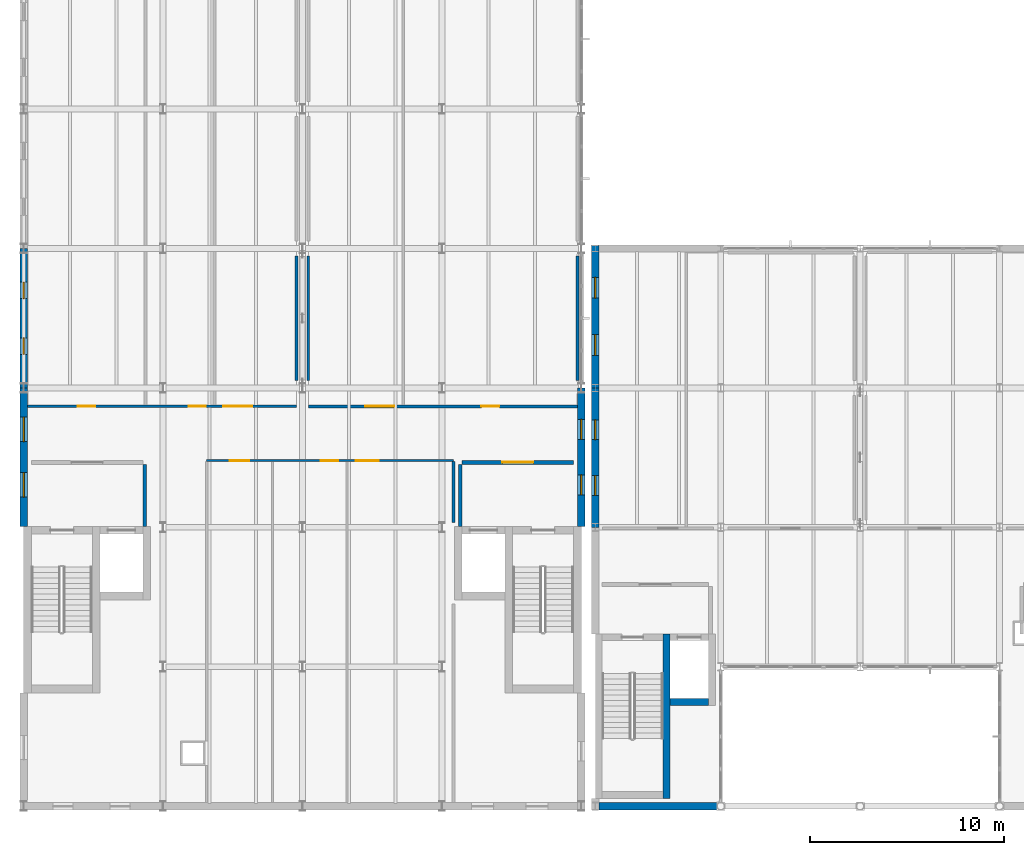
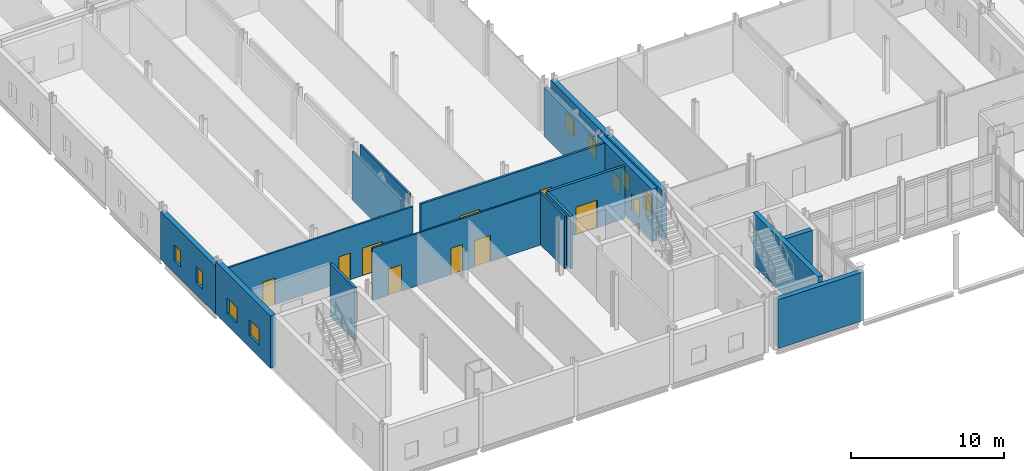
# One storey, part 52 of 76: 18 walls, 10 windows, 9 doors, 19 openings.
"""IFC4 building model written with IfcOpenShell, lengths in metres."""

import ifcopenshell
import ifcopenshell.guid

model = None  # the IFC model being written
_history = None  # IfcOwnerHistory: only IFC2X3 demands one
_inside = {}  # id of a spatial element -> (the spatial element, [elements in it])
_under = {}  # id of a project, library or spatial element -> (it, [spatial elements below it])
_declared = {}  # id of a project -> (the project, [libraries it declares])
_typed = {}  # id of a type object -> (the type object, [elements of that type])
_made_of = {}  # id of a material, layer set ... -> (it, [elements and type objects made of it])


def new_model(schema):
    """Start an empty IFC model of exactly this schema.

    Asked for "IFC4X3", IfcOpenShell would pick the latest addendum, in which some entities
    have other attributes; the version numbers below select the first issue.
    IFC2X3 requires an IfcOwnerHistory on every rooted entity: one is made here for all.
    """
    global model, _history
    if schema == "IFC4X3":
        model = ifcopenshell.file(schema_version=(4, 3, 0, 0))
    else:
        model = ifcopenshell.file(schema=schema)
    _inside.clear()
    _under.clear()
    _declared.clear()
    _typed.clear()
    _made_of.clear()
    _history = None
    if model.schema == "IFC2X3":
        org = make("IfcOrganization", Name="unknown")
        user = make(
            "IfcPersonAndOrganization",
            ThePerson=make("IfcPerson", FamilyName="unknown"),
            TheOrganization=org,
        )
        app = make(
            "IfcApplication",
            ApplicationDeveloper=org,
            Version="unknown",
            ApplicationFullName="unknown",
            ApplicationIdentifier="unknown",
        )
        _history = make(
            "IfcOwnerHistory",
            OwningUser=user,
            OwningApplication=app,
            ChangeAction="ADDED",
            CreationDate=0,
        )
    return model


def make(cls, **values):
    """One entity of the class cls with the attributes given. An attribute that is None is left unset."""
    return model.create_entity(
        cls, **{name: value for name, value in values.items() if value is not None}
    )


def rooted(cls, **values):
    """An entity with a GlobalId (a new one), such as an element, a storey or a relation."""
    return make(cls, GlobalId=ifcopenshell.guid.new(), OwnerHistory=_history, **values)


def si_unit(unit_type, name, prefix=None):
    """IfcSIUnit, for example si_unit("LENGTHUNIT", "METRE", prefix="MILLI")."""
    return make("IfcSIUnit", UnitType=unit_type, Prefix=prefix, Name=name)


def assignment(units):
    """IfcUnitAssignment: the units of a project."""
    return None if units is None else make("IfcUnitAssignment", Units=units)


def point(xyz):
    """IfcCartesianPoint."""
    return None if xyz is None else make("IfcCartesianPoint", Coordinates=xyz)


def direction(xyz):
    """IfcDirection."""
    return None if xyz is None else make("IfcDirection", DirectionRatios=xyz)


def frame(location, z_axis=None, x_axis=None):
    """IfcAxis2Placement3D, a coordinate frame: its origin and axes. An axis left out is left unset."""
    return make(
        "IfcAxis2Placement3D",
        Location=point(location),
        Axis=direction(z_axis),
        RefDirection=direction(x_axis),
    )


def frame_2d(location, x_axis=None):
    """IfcAxis2Placement2D, a coordinate frame in the plane: its origin and x axis."""
    return make(
        "IfcAxis2Placement2D", Location=point(location), RefDirection=direction(x_axis)
    )


def origin():
    """The frame at (0, 0, 0) with its axes left unset."""
    return frame((0.0, 0.0, 0.0))


def place(relative_to, where):
    """IfcLocalPlacement: puts the frame where relative to a parent placement (None: the world)."""
    return make(
        "IfcLocalPlacement", PlacementRelTo=relative_to, RelativePlacement=where
    )


def context(
    kind, dimensions, precision=None, world=None, true_north=None, identifier=None
):
    """IfcGeometricRepresentationContext, for example the 3D "Model" context."""
    return make(
        "IfcGeometricRepresentationContext",
        ContextIdentifier=identifier,
        ContextType=kind,
        CoordinateSpaceDimension=dimensions,
        Precision=precision,
        WorldCoordinateSystem=world,
        TrueNorth=true_north,
    )


def subcontext(parent, identifier, kind, view, scale=None):
    """IfcGeometricRepresentationSubContext, for example "Body" below "Model"."""
    return make(
        "IfcGeometricRepresentationSubContext",
        ContextIdentifier=identifier,
        ContextType=kind,
        ParentContext=parent,
        TargetScale=scale,
        TargetView=view,
    )


def project(units=None, contexts=None):
    """IfcProject with its units and contexts."""
    return rooted(
        "IfcProject",
        Name="project",
        RepresentationContexts=contexts,
        UnitsInContext=assignment(units),
    )


def spatial(cls, under=None, at=None, **own):
    """A site, building, storey or space (cls), placed at a placement, below another one or the project."""
    s = rooted(cls, ObjectPlacement=at, **own)
    if under is not None:
        _under.setdefault(under.id(), (under, []))[1].append(s)
    return s


def profile(cls, at=None, kind="AREA", **sizes):
    """A parametric profile (cls). Its sizes go by their IFC names, for example OverallWidth=200.0."""
    return make(cls, ProfileType=kind, Position=at, **sizes)


def rectangle(**sizes):
    """IfcRectangleProfileDef."""
    return profile("IfcRectangleProfileDef", **sizes)


def extrude(swept, where, along, depth):
    """IfcExtrudedAreaSolid: the profile swept, set in the frame where, extruded along a direction by depth."""
    return make(
        "IfcExtrudedAreaSolid",
        SweptArea=swept,
        Position=where,
        ExtrudedDirection=direction(along),
        Depth=depth,
    )


def shape(context_of_items, identifier, shape_type, items):
    """IfcShapeRepresentation: the items that make up one representation, for example the "Body"."""
    return make(
        "IfcShapeRepresentation",
        ContextOfItems=context_of_items,
        RepresentationIdentifier=identifier,
        RepresentationType=shape_type,
        Items=items,
    )


def material(Name=None, Category=None):
    """IfcMaterial."""
    return make("IfcMaterial", Name=Name, Category=Category)


def layer(
    of_material, thickness, ventilated=None, Name=None, Category=None, Priority=None
):
    """IfcMaterialLayer: one layer of a wall or slab, of a material (None: an air gap)."""
    return make(
        "IfcMaterialLayer",
        Material=of_material,
        LayerThickness=thickness,
        IsVentilated=ventilated,
        Name=Name,
        Category=Category,
        Priority=Priority,
    )


def layer_set(layers, Name=None):
    """IfcMaterialLayerSet."""
    return make("IfcMaterialLayerSet", MaterialLayers=layers, LayerSetName=Name)


def made_of(thing, what):
    """Note that an element or type object is made of a material, layer set ...; save() writes the relation."""
    if what is not None:
        _made_of.setdefault(what.id(), (what, []))[1].append(thing)
    return thing


def type_object(cls, material=None, **own):
    """A type object (cls), such as IfcWallType, which elements share."""
    return made_of(rooted(cls, **own), material)


def element(
    cls,
    number,
    at=None,
    inside=None,
    cuts=None,
    type_object=None,
    material=None,
    context=None,
    identifier="Body",
    shape_type=None,
    held_by="IfcProductDefinitionShape",
    body=None,
    shapes=None,
    **own,
):
    """One element of the class cls, such as IfcWall. Its Tag is "e" and its number.

    at: its placement. inside: the storey or other place that contains it. cuts: it is an
    opening in that element (IfcRelVoidsElement). A single representation is given by context,
    identifier, shape_type and body (its items); several are given by shapes. held_by: the class
    of the entity that holds the representations. save() writes the other relations.
    """
    e = rooted(cls, Tag="e%d" % number, ObjectPlacement=at, **own)
    if body is not None:
        shapes = [shape(context, identifier, shape_type, body)]
    if shapes is not None:
        e.Representation = make(held_by, Representations=shapes)
    if inside is not None:
        _inside.setdefault(inside.id(), (inside, []))[1].append(e)
    if cuts is not None:
        rooted(
            "IfcRelVoidsElement", RelatingBuildingElement=cuts, RelatedOpeningElement=e
        )
    if type_object is not None:
        _typed.setdefault(type_object.id(), (type_object, []))[1].append(e)
    return made_of(e, material)


def fill(opening, filler):
    """IfcRelFillsElement: the door or window that sits in an opening."""
    return rooted(
        "IfcRelFillsElement",
        RelatingOpeningElement=opening,
        RelatedBuildingElement=filler,
    )


def aggregate(whole, parts):
    """IfcRelAggregates: a whole, such as a stair, and the parts it consists of."""
    return rooted("IfcRelAggregates", RelatingObject=whole, RelatedObjects=parts)


def save(model, path):
    """Write the relations noted so far, then the file.

    IfcRelAggregates (storeys below a building ...), IfcRelContainedInSpatialStructure (elements
    in a storey), IfcRelDefinesByType, IfcRelAssociatesMaterial and IfcRelDeclares: one each for
    every whole, place, type object, material and project.
    """
    for whole, parts in _under.values():
        aggregate(whole, parts)
    for where, things in _inside.values():
        rooted(
            "IfcRelContainedInSpatialStructure",
            RelatedElements=things,
            RelatingStructure=where,
        )
    for kind, things in _typed.values():
        rooted("IfcRelDefinesByType", RelatedObjects=things, RelatingType=kind)
    for what, things in _made_of.values():
        rooted("IfcRelAssociatesMaterial", RelatedObjects=things, RelatingMaterial=what)
    for by, libraries in _declared.values():
        rooted("IfcRelDeclares", RelatingContext=by, RelatedDefinitions=libraries)
    model.write(path)


model = new_model("IFC4")

# Units and contexts
model_context = context("Model", 3, precision=1e-05, world=origin(), true_north=direction((0.0, 1.0)))
body_context = subcontext(model_context, "Body", "Model", "MODEL_VIEW")
ifc_project = project(units=[si_unit("LENGTHUNIT", "METRE"), si_unit("AREAUNIT", "SQUARE_METRE"), si_unit("VOLUMEUNIT", "CUBIC_METRE"), si_unit("PLANEANGLEUNIT", "RADIAN"), si_unit("MASSUNIT", "GRAM", prefix="KILO")], contexts=[model_context])

# Site, building, storey
site_placement = place(None, origin())
site = spatial("IfcSite", under=ifc_project, at=site_placement, CompositionType="ELEMENT")
building_placement = place(site_placement, origin())
building = spatial("IfcBuilding", under=site, at=building_placement, Name="Zarrinpeak Specialist Clinic", CompositionType="ELEMENT")
storey_placement = place(building_placement, frame((0.0, 0.0, 5.199951171875)))
storey = spatial("IfcBuildingStorey", under=building, at=storey_placement, Name="L01", CompositionType="ELEMENT", Elevation=5.199951171875)

# Walls
ifc_material_1 = material(Name="Concrete C40/50", Category="concrete")
ifc_layer_1 = layer(ifc_material_1, 0.35009765625)
ifc_layer_set_1 = layer_set([ifc_layer_1], Name="Concrete C40/50")
wall_type_1 = type_object("IfcWallType", Name="WL-CR350", PredefinedType="SHEAR", material=ifc_layer_set_1)
wall_1_placement = place(storey_placement, frame((33.195068359375, 0.39990234375, 0.0), z_axis=(0.0, 0.0, 1.0), x_axis=(0.0, 1.0, 0.0)))
element("IfcWall", 1, at=wall_1_placement, inside=storey, type_object=wall_type_1, Name="L01 Core C03 Shear Wall STE", PredefinedType="SHEAR", context=body_context, shape_type="SweptSolid", body=[
    extrude(rectangle(XDim=8.5, YDim=0.35009765625, at=frame_2d((4.25, 0.0))), origin(), (0.0, 0.0, 1.0), 4.18505859375),
])
wall_2_placement = place(storey_placement, frame((33.3701171875, 5.375, 0.0), z_axis=(0.0, 0.0, 1.0), x_axis=(1.0, 0.0, 0.0)))
element("IfcWall", 2, at=wall_2_placement, inside=storey, type_object=wall_type_1, Name="L01 Lift LF-P2 Shaft Wall LFS", PredefinedType="SHEAR", context=body_context, shape_type="SweptSolid", body=[
    extrude(rectangle(XDim=2.0, YDim=0.35009765625, at=frame_2d((1.0, 0.0))), origin(), (0.0, 0.0, 1.0), 4.18505859375),
])

# Wall, openings, windows
ifc_material_2 = material(Name="Precast concrete C40/50", Category="concrete")
ifc_layer_2 = layer(ifc_material_2, 0.3798828125)
ifc_layer_set_2 = layer_set([ifc_layer_2], Name="Precast concrete C40/50")
wall_type_2 = type_object("IfcWallType", Name="WL-EW380", PredefinedType="STANDARD", material=ifc_layer_set_2)
wall_3_placement = place(storey_placement, frame((0.0, 21.60009765625, 0.0), z_axis=(0.0, 0.0, 1.0), x_axis=(0.0, -1.0, 0.0)))
wall_3 = element("IfcWall", 3, at=wall_3_placement, inside=storey, type_object=wall_type_2, Name="L01 V1 Exterior GRC Wall EW-L01-V1-0022", PredefinedType="STANDARD", context=body_context, shape_type="SweptSolid", body=[
    extrude(rectangle(XDim=7.150146484375, YDim=0.3798828125, at=frame_2d((3.5751953125, 0.0))), origin(), (0.0, 0.0, 1.0), 4.18505859375),
])
opening_1_placement = place(wall_3_placement, frame((1.510986328125, 0.0, 0.949951171875)))
opening_1 = element("IfcOpeningElement", 4, at=opening_1_placement, cuts=wall_3, Name="Opening WS-13", PredefinedType="OPENING", context=body_context, shape_type="SweptSolid", body=[
    extrude(rectangle(XDim=1.26806640625, YDim=1.260009765625, at=frame_2d((0.634033203125, 0.6298828125))), frame((0.0, 0.199951171875, 0.0), z_axis=(0.0, -1.0, 0.0), x_axis=(1.0, 0.0, 0.0)), (0.0, 0.0, 1.0), 0.39990234375),
])
opening_2_placement = place(wall_3_placement, frame((4.37109375, 0.0, 0.949951171875)))
opening_2 = element("IfcOpeningElement", 5, at=opening_2_placement, cuts=wall_3, Name="Opening WS-13", PredefinedType="OPENING", context=body_context, shape_type="SweptSolid", body=[
    extrude(rectangle(XDim=1.26806640625, YDim=1.260009765625, at=frame_2d((0.634033203125, 0.6298828125))), frame((0.0, 0.199951171875, 0.0), z_axis=(0.0, -1.0, 0.0), x_axis=(1.0, 0.0, 0.0)), (0.0, 0.0, 1.0), 0.39990234375),
])
ifc_material_3 = material(Name="Thermally Broken Aluminium and Low-E Glazing", Category="aluminium")
window_type_1 = type_object("IfcWindowType", Name="WN-SP13", PartitioningType="SINGLE_PANEL", PredefinedType="WINDOW", material=ifc_material_3)
window_1_placement = place(opening_1_placement, origin())
window_1 = element("IfcWindow", 6, at=window_1_placement, inside=storey, type_object=window_type_1, Name="L01 Modular Facade Window WN-L01-0030", OverallHeight=1.260009765625, OverallWidth=1.26806640625, PartitioningType="SINGLE_PANEL", PredefinedType="WINDOW", context=body_context, shape_type="SweptSolid", body=[
    extrude(rectangle(XDim=1.26806640625, YDim=1.260009765625, at=frame_2d((0.634033203125, 0.6298828125))), frame((0.0, 0.030029296875, 0.0), z_axis=(0.0, -1.0, 0.0), x_axis=(1.0, 0.0, 0.0)), (0.0, 0.0, 1.0), 0.06005859375),
])
fill(opening_1, window_1)
window_2_placement = place(opening_2_placement, origin())
window_2 = element("IfcWindow", 7, at=window_2_placement, inside=storey, type_object=window_type_1, Name="L01 Modular Facade Window WN-L01-0031", OverallHeight=1.260009765625, OverallWidth=1.26806640625, PartitioningType="SINGLE_PANEL", PredefinedType="WINDOW", context=body_context, shape_type="SweptSolid", body=[
    extrude(rectangle(XDim=1.26806640625, YDim=1.260009765625, at=frame_2d((0.634033203125, 0.6298828125))), frame((0.0, 0.030029296875, 0.0), z_axis=(0.0, -1.0, 0.0), x_axis=(1.0, 0.0, 0.0)), (0.0, 0.0, 1.0), 0.06005859375),
])
fill(opening_2, window_2)

wall_4_placement = place(storey_placement, frame((0.0, 28.800048828125, 0.0), z_axis=(0.0, 0.0, 1.0), x_axis=(0.0, -1.0, 0.0)))
wall_4 = element("IfcWall", 8, at=wall_4_placement, inside=storey, type_object=wall_type_2, Name="L01 V1 Exterior GRC Wall EW-L01-V1-0023", PredefinedType="STANDARD", context=body_context, shape_type="SweptSolid", body=[
    extrude(rectangle(XDim=7.199951171875, YDim=0.3798828125, at=frame_2d((3.60009765625, 0.0))), origin(), (0.0, 0.0, 1.0), 3.81005859375),
])
opening_3_placement = place(wall_4_placement, frame((1.72998046875, 0.0, 0.949951171875)))
opening_3 = element("IfcOpeningElement", 9, at=opening_3_placement, cuts=wall_4, Name="Opening WS-14", PredefinedType="OPENING", context=body_context, shape_type="SweptSolid", body=[
    extrude(rectangle(XDim=0.860107421875, YDim=1.2958984375, at=frame_2d((0.43017578125, 0.64794921875))), frame((0.0, 0.199951171875, 0.0), z_axis=(0.0, -1.0, 0.0), x_axis=(1.0, 0.0, 0.0)), (0.0, 0.0, 1.0), 0.39990234375),
])
opening_4_placement = place(wall_4_placement, frame((4.610107421875, 0.0, 0.949951171875)))
opening_4 = element("IfcOpeningElement", 10, at=opening_4_placement, cuts=wall_4, Name="Opening WS-14", PredefinedType="OPENING", context=body_context, shape_type="SweptSolid", body=[
    extrude(rectangle(XDim=0.860107421875, YDim=1.2958984375, at=frame_2d((0.43017578125, 0.64794921875))), frame((0.0, 0.199951171875, 0.0), z_axis=(0.0, -1.0, 0.0), x_axis=(1.0, 0.0, 0.0)), (0.0, 0.0, 1.0), 0.39990234375),
])
window_type_2 = type_object("IfcWindowType", Name="WN-SP14", PartitioningType="SINGLE_PANEL", PredefinedType="WINDOW", material=ifc_material_3)
window_3_placement = place(opening_3_placement, origin())
window_3 = element("IfcWindow", 11, at=window_3_placement, inside=storey, type_object=window_type_2, Name="L01 Modular Facade Window WN-L01-0032", OverallHeight=1.2958984375, OverallWidth=0.860107421875, PartitioningType="SINGLE_PANEL", PredefinedType="WINDOW", context=body_context, shape_type="SweptSolid", body=[
    extrude(rectangle(XDim=0.860107421875, YDim=1.2958984375, at=frame_2d((0.43017578125, 0.64794921875))), frame((0.0, 0.030029296875, 0.0), z_axis=(0.0, -1.0, 0.0), x_axis=(1.0, 0.0, 0.0)), (0.0, 0.0, 1.0), 0.06005859375),
])
fill(opening_3, window_3)
window_4_placement = place(opening_4_placement, origin())
window_4 = element("IfcWindow", 12, at=window_4_placement, inside=storey, type_object=window_type_2, Name="L01 Modular Facade Window WN-L01-0033", OverallHeight=1.2958984375, OverallWidth=0.860107421875, PartitioningType="SINGLE_PANEL", PredefinedType="WINDOW", context=body_context, shape_type="SweptSolid", body=[
    extrude(rectangle(XDim=0.860107421875, YDim=1.2958984375, at=frame_2d((0.43017578125, 0.64794921875))), frame((0.0, 0.030029296875, 0.0), z_axis=(0.0, -1.0, 0.0), x_axis=(1.0, 0.0, 0.0)), (0.0, 0.0, 1.0), 0.06005859375),
])
fill(opening_4, window_4)

wall_5_placement = place(storey_placement, frame((28.800048828125, 14.449951171875, 0.0), z_axis=(0.0, 0.0, 1.0), x_axis=(0.0, 1.0, 0.0)))
wall_5 = element("IfcWall", 13, at=wall_5_placement, inside=storey, type_object=wall_type_2, Name="L01 V1 Exterior GRC Wall EW-L01-V1-0028", PredefinedType="STANDARD", context=body_context, shape_type="SweptSolid", body=[
    extrude(rectangle(XDim=7.150146484375, YDim=0.3798828125, at=frame_2d((3.5751953125, 0.0))), origin(), (0.0, 0.0, 1.0), 4.18505859375),
])
opening_5_placement = place(wall_5_placement, frame((1.6298828125, 0.0, 0.949951171875)))
opening_5 = element("IfcOpeningElement", 14, at=opening_5_placement, cuts=wall_5, Name="Opening WS-19", PredefinedType="OPENING", context=body_context, shape_type="SweptSolid", body=[
    extrude(rectangle(XDim=1.030029296875, YDim=1.2958984375, at=frame_2d((0.51513671875, 0.64794921875))), frame((0.0, 0.199951171875, 0.0), z_axis=(0.0, -1.0, 0.0), x_axis=(1.0, 0.0, 0.0)), (0.0, 0.0, 1.0), 0.39990234375),
])
opening_6_placement = place(wall_5_placement, frame((4.489990234375, 0.0, 0.949951171875)))
opening_6 = element("IfcOpeningElement", 15, at=opening_6_placement, cuts=wall_5, Name="Opening WS-19", PredefinedType="OPENING", context=body_context, shape_type="SweptSolid", body=[
    extrude(rectangle(XDim=1.030029296875, YDim=1.2958984375, at=frame_2d((0.51513671875, 0.64794921875))), frame((0.0, 0.199951171875, 0.0), z_axis=(0.0, -1.0, 0.0), x_axis=(1.0, 0.0, 0.0)), (0.0, 0.0, 1.0), 0.39990234375),
])
window_type_3 = type_object("IfcWindowType", Name="WN-SP19", PartitioningType="SINGLE_PANEL", PredefinedType="WINDOW", material=ifc_material_3)
window_5_placement = place(opening_5_placement, origin())
window_5 = element("IfcWindow", 16, at=window_5_placement, inside=storey, type_object=window_type_3, Name="L01 Modular Facade Window WN-L01-0041", OverallHeight=1.2958984375, OverallWidth=1.030029296875, PartitioningType="SINGLE_PANEL", PredefinedType="WINDOW", context=body_context, shape_type="SweptSolid", body=[
    extrude(rectangle(XDim=1.030029296875, YDim=1.2958984375, at=frame_2d((0.51513671875, 0.64794921875))), frame((0.0, 0.030029296875, 0.0), z_axis=(0.0, -1.0, 0.0), x_axis=(1.0, 0.0, 0.0)), (0.0, 0.0, 1.0), 0.06005859375),
])
fill(opening_5, window_5)
window_6_placement = place(opening_6_placement, origin())
window_6 = element("IfcWindow", 17, at=window_6_placement, inside=storey, type_object=window_type_3, Name="L01 Modular Facade Window WN-L01-0042", OverallHeight=1.2958984375, OverallWidth=1.030029296875, PartitioningType="SINGLE_PANEL", PredefinedType="WINDOW", context=body_context, shape_type="SweptSolid", body=[
    extrude(rectangle(XDim=1.030029296875, YDim=1.2958984375, at=frame_2d((0.51513671875, 0.64794921875))), frame((0.0, 0.030029296875, 0.0), z_axis=(0.0, -1.0, 0.0), x_axis=(1.0, 0.0, 0.0)), (0.0, 0.0, 1.0), 0.06005859375),
])
fill(opening_6, window_6)

# Wall
wall_6_placement = place(storey_placement, frame((29.7099609375, 0.0, 0.0), z_axis=(0.0, 0.0, 1.0), x_axis=(1.0, 0.0, 0.0)))
element("IfcWall", 18, at=wall_6_placement, inside=storey, type_object=wall_type_2, Name="L01 V2 Exterior GRC Wall EW-L01-V2-0109", PredefinedType="STANDARD", context=body_context, shape_type="SweptSolid", body=[
    extrude(rectangle(XDim=6.400146484375, YDim=0.3798828125, at=frame_2d((3.2001953125, 0.0))), origin(), (0.0, 0.0, 1.0), 3.880126953125),
])

# Wall, openings, windows
wall_7_placement = place(storey_placement, frame((29.52001953125, 21.60009765625, 0.0), z_axis=(0.0, 0.0, 1.0), x_axis=(0.0, -1.0, 0.0)))
wall_7 = element("IfcWall", 19, at=wall_7_placement, inside=storey, type_object=wall_type_2, Name="L01 V2 Exterior GRC Wall EW-L01-V2-0115", PredefinedType="STANDARD", context=body_context, shape_type="SweptSolid", body=[
    extrude(rectangle(XDim=7.2001953125, YDim=0.3798828125, at=frame_2d((3.60009765625, 0.0))), origin(), (0.0, 0.0, 1.0), 3.880126953125),
])
opening_7_placement = place(wall_7_placement, frame((1.64501953125, 0.0, 0.949951171875)))
opening_7 = element("IfcOpeningElement", 20, at=opening_7_placement, cuts=wall_7, Name="Opening WS-32", PredefinedType="OPENING", context=body_context, shape_type="SweptSolid", body=[
    extrude(rectangle(XDim=1.030029296875, YDim=1.33203125, at=frame_2d((0.51513671875, 0.666015625))), frame((0.0, 0.199951171875, 0.0), z_axis=(0.0, -1.0, 0.0), x_axis=(1.0, 0.0, 0.0)), (0.0, 0.0, 1.0), 0.39990234375),
])
opening_8_placement = place(wall_7_placement, frame((4.52490234375, 0.0, 0.949951171875)))
opening_8 = element("IfcOpeningElement", 21, at=opening_8_placement, cuts=wall_7, Name="Opening WS-32", PredefinedType="OPENING", context=body_context, shape_type="SweptSolid", body=[
    extrude(rectangle(XDim=1.030029296875, YDim=1.33203125, at=frame_2d((0.51513671875, 0.666015625))), frame((0.0, 0.199951171875, 0.0), z_axis=(0.0, -1.0, 0.0), x_axis=(1.0, 0.0, 0.0)), (0.0, 0.0, 1.0), 0.39990234375),
])
window_type_4 = type_object("IfcWindowType", Name="WN-SP32", PartitioningType="SINGLE_PANEL", PredefinedType="WINDOW", material=ifc_material_3)
window_7_placement = place(opening_7_placement, origin())
window_7 = element("IfcWindow", 22, at=window_7_placement, inside=storey, type_object=window_type_4, Name="L01 Modular Facade Window WN-L01-0150", OverallHeight=1.33203125, OverallWidth=1.030029296875, PartitioningType="SINGLE_PANEL", PredefinedType="WINDOW", context=body_context, shape_type="SweptSolid", body=[
    extrude(rectangle(XDim=1.030029296875, YDim=1.33203125, at=frame_2d((0.51513671875, 0.666015625))), frame((0.0, 0.030029296875, 0.0), z_axis=(0.0, -1.0, 0.0), x_axis=(1.0, 0.0, 0.0)), (0.0, 0.0, 1.0), 0.06005859375),
])
fill(opening_7, window_7)
window_8_placement = place(opening_8_placement, origin())
window_8 = element("IfcWindow", 23, at=window_8_placement, inside=storey, type_object=window_type_4, Name="L01 Modular Facade Window WN-L01-0151", OverallHeight=1.33203125, OverallWidth=1.030029296875, PartitioningType="SINGLE_PANEL", PredefinedType="WINDOW", context=body_context, shape_type="SweptSolid", body=[
    extrude(rectangle(XDim=1.030029296875, YDim=1.33203125, at=frame_2d((0.51513671875, 0.666015625))), frame((0.0, 0.030029296875, 0.0), z_axis=(0.0, -1.0, 0.0), x_axis=(1.0, 0.0, 0.0)), (0.0, 0.0, 1.0), 0.06005859375),
])
fill(opening_8, window_8)

wall_8_placement = place(storey_placement, frame((29.52001953125, 28.989990234375, 0.0), z_axis=(0.0, 0.0, 1.0), x_axis=(0.0, -1.0, 0.0)))
wall_8 = element("IfcWall", 24, at=wall_8_placement, inside=storey, type_object=wall_type_2, Name="L01 V2 Exterior GRC Wall EW-L01-V2-0116", PredefinedType="STANDARD", context=body_context, shape_type="SweptSolid", body=[
    extrude(rectangle(XDim=7.389892578125, YDim=0.3798828125, at=frame_2d((3.69482421875, 0.0))), origin(), (0.0, 0.0, 1.0), 3.880126953125),
])
opening_9_placement = place(wall_8_placement, frame((1.68505859375, 0.0, 0.949951171875)))
opening_9 = element("IfcOpeningElement", 25, at=opening_9_placement, cuts=wall_8, Name="Opening WS-33", PredefinedType="OPENING", context=body_context, shape_type="SweptSolid", body=[
    extrude(rectangle(XDim=1.06396484375, YDim=1.33203125, at=frame_2d((0.531982421875, 0.666015625))), frame((0.0, 0.199951171875, 0.0), z_axis=(0.0, -1.0, 0.0), x_axis=(1.0, 0.0, 0.0)), (0.0, 0.0, 1.0), 0.39990234375),
])
opening_10_placement = place(wall_8_placement, frame((4.64111328125, 0.0, 0.949951171875)))
opening_10 = element("IfcOpeningElement", 26, at=opening_10_placement, cuts=wall_8, Name="Opening WS-33", PredefinedType="OPENING", context=body_context, shape_type="SweptSolid", body=[
    extrude(rectangle(XDim=1.06396484375, YDim=1.33203125, at=frame_2d((0.531982421875, 0.666015625))), frame((0.0, 0.199951171875, 0.0), z_axis=(0.0, -1.0, 0.0), x_axis=(1.0, 0.0, 0.0)), (0.0, 0.0, 1.0), 0.39990234375),
])
window_type_5 = type_object("IfcWindowType", Name="WN-SP33", PartitioningType="SINGLE_PANEL", PredefinedType="WINDOW", material=ifc_material_3)
window_9_placement = place(opening_9_placement, origin())
window_9 = element("IfcWindow", 27, at=window_9_placement, inside=storey, type_object=window_type_5, Name="L01 Modular Facade Window WN-L01-0152", OverallHeight=1.33203125, OverallWidth=1.06396484375, PartitioningType="SINGLE_PANEL", PredefinedType="WINDOW", context=body_context, shape_type="SweptSolid", body=[
    extrude(rectangle(XDim=1.06396484375, YDim=1.33203125, at=frame_2d((0.531982421875, 0.666015625))), frame((0.0, 0.030029296875, 0.0), z_axis=(0.0, -1.0, 0.0), x_axis=(1.0, 0.0, 0.0)), (0.0, 0.0, 1.0), 0.06005859375),
])
fill(opening_9, window_9)
window_10_placement = place(opening_10_placement, origin())
window_10 = element("IfcWindow", 28, at=window_10_placement, inside=storey, type_object=window_type_5, Name="L01 Modular Facade Window WN-L01-0153", OverallHeight=1.33203125, OverallWidth=1.06396484375, PartitioningType="SINGLE_PANEL", PredefinedType="WINDOW", context=body_context, shape_type="SweptSolid", body=[
    extrude(rectangle(XDim=1.06396484375, YDim=1.33203125, at=frame_2d((0.531982421875, 0.666015625))), frame((0.0, 0.030029296875, 0.0), z_axis=(0.0, -1.0, 0.0), x_axis=(1.0, 0.0, 0.0)), (0.0, 0.0, 1.0), 0.06005859375),
])
fill(opening_10, window_10)

# Wall, openings, doors
ifc_material_4 = material(Name="Moisture-Resistant Wet-Room Partition", Category="gypsum")
ifc_layer_3 = layer(ifc_material_4, 0.125)
ifc_layer_set_3 = layer_set([ifc_layer_3], Name="Moisture-Resistant Wet-Room Partition")
wall_type_3 = type_object("IfcWallType", Name="WL-IW125W", PredefinedType="PARTITIONING", material=ifc_layer_set_3)
wall_9_placement = place(storey_placement, frame((9.449951171875, 17.85009765625, 0.0), z_axis=(0.0, 0.0, 1.0), x_axis=(1.0, 0.0, 0.0)))
wall_9 = element("IfcWall", 29, at=wall_9_placement, inside=storey, type_object=wall_type_3, Name="L01 Accessible Patient WC Partition", PredefinedType="PARTITIONING", context=body_context, shape_type="SweptSolid", body=[
    extrude(rectangle(XDim=12.75, YDim=0.125, at=frame_2d((6.375, 0.0))), origin(), (0.0, 0.0, 1.0), 4.18505859375),
])
opening_11_placement = place(wall_9_placement, frame((1.199951171875, 0.0, 0.0)))
opening_11 = element("IfcOpeningElement", 30, at=opening_11_placement, cuts=wall_9, Name="Opening D-W02", PredefinedType="OPENING", context=body_context, shape_type="SweptSolid", body=[
    extrude(rectangle(XDim=1.0, YDim=2.10009765625, at=frame_2d((0.5, 1.050048828125))), frame((0.0, 0.072509765625, 0.0), z_axis=(0.0, -1.0, 0.0), x_axis=(1.0, 0.0, 0.0)), (0.0, 0.0, 1.0), 0.14501953125),
])
opening_12_placement = place(wall_9_placement, frame((5.89990234375, 0.0, 0.0)))
opening_12 = element("IfcOpeningElement", 31, at=opening_12_placement, cuts=wall_9, Name="Opening D-W01", PredefinedType="OPENING", context=body_context, shape_type="SweptSolid", body=[
    extrude(rectangle(XDim=0.89990234375, YDim=2.10009765625, at=frame_2d((0.449951171875, 1.050048828125))), frame((0.0, 0.072509765625, 0.0), z_axis=(0.0, -1.0, 0.0), x_axis=(1.0, 0.0, 0.0)), (0.0, 0.0, 1.0), 0.14501953125),
])
opening_13_placement = place(wall_9_placement, frame((7.699951171875, 0.0, 0.0)))
opening_13 = element("IfcOpeningElement", 32, at=opening_13_placement, cuts=wall_9, Name="Opening DS-39", PredefinedType="OPENING", context=body_context, shape_type="SweptSolid", body=[
    extrude(rectangle(XDim=1.19189453125, YDim=2.095947265625, at=frame_2d((0.595947265625, 1.0478515625))), frame((0.0, 0.072509765625, 0.0), z_axis=(0.0, -1.0, 0.0), x_axis=(1.0, 0.0, 0.0)), (0.0, 0.0, 1.0), 0.14501953125),
])
ifc_material_5 = material(Name="Powder-Coated Galvanised Steel", Category="steel")
door_type_1 = type_object("IfcDoorType", Name="DR-AWC100", OperationType="SLIDING_TO_LEFT", PredefinedType="DOOR", material=ifc_material_5)
door_1_placement = place(opening_11_placement, origin())
door_1 = element("IfcDoor", 33, at=door_1_placement, inside=storey, type_object=door_type_1, Name="L01 Accessible Patient WC Door", OperationType="SLIDING_TO_LEFT", OverallHeight=2.10009765625, OverallWidth=1.0, PredefinedType="DOOR", context=body_context, shape_type="SweptSolid", body=[
    extrude(rectangle(XDim=1.0, YDim=2.10009765625, at=frame_2d((0.5, 1.050048828125))), frame((0.0, 0.02490234375, 0.0), z_axis=(0.0, -1.0, 0.0), x_axis=(1.0, 0.0, 0.0)), (0.0, 0.0, 1.0), 0.050048828125),
])
fill(opening_11, door_1)
door_type_2 = type_object("IfcDoorType", Name="DR-SP39", OperationType="SINGLE_SWING_RIGHT", PredefinedType="DOOR", material=ifc_material_5)
door_2_placement = place(opening_13_placement, origin())
door_2 = element("IfcDoor", 34, at=door_2_placement, inside=storey, type_object=door_type_2, Name="L01 Nurse Triage Station Door", OperationType="SINGLE_SWING_RIGHT", OverallHeight=2.095947265625, OverallWidth=1.19189453125, PredefinedType="DOOR", context=body_context, shape_type="SweptSolid", body=[
    extrude(rectangle(XDim=1.19189453125, YDim=2.095947265625, at=frame_2d((0.595947265625, 1.0478515625))), frame((0.0, 0.02490234375, 0.0), z_axis=(0.0, -1.0, 0.0), x_axis=(1.0, 0.0, 0.0)), (0.0, 0.0, 1.0), 0.050048828125),
])
fill(opening_13, door_2)
door_type_3 = type_object("IfcDoorType", Name="DR-WC90", OperationType="SINGLE_SWING_RIGHT", PredefinedType="DOOR", material=ifc_material_5)
door_3_placement = place(opening_12_placement, origin())
door_3 = element("IfcDoor", 35, at=door_3_placement, inside=storey, type_object=door_type_3, Name="L01 Assisted Washroom Door", OperationType="SINGLE_SWING_RIGHT", OverallHeight=2.10009765625, OverallWidth=0.89990234375, PredefinedType="DOOR", context=body_context, shape_type="SweptSolid", body=[
    extrude(rectangle(XDim=0.89990234375, YDim=2.10009765625, at=frame_2d((0.449951171875, 1.050048828125))), frame((0.0, 0.02490234375, 0.0), z_axis=(0.0, -1.0, 0.0), x_axis=(1.0, 0.0, 0.0)), (0.0, 0.0, 1.0), 0.050048828125),
])
fill(opening_12, door_3)

ifc_material_6 = material(Name="Standard Drywall Partition", Category="gypsum")
ifc_layer_4 = layer(ifc_material_6, 0.135009765625)
ifc_layer_set_4 = layer_set([ifc_layer_4], Name="Standard Drywall Partition")
wall_type_4 = type_object("IfcWallType", Name="WL-IW135", PredefinedType="PARTITIONING", material=ifc_layer_set_4)
wall_10_placement = place(storey_placement, frame((0.199951171875, 20.64990234375, 0.0), z_axis=(0.0, 0.0, 1.0), x_axis=(1.0, 0.0, 0.0)))
wall_10 = element("IfcWall", 36, at=wall_10_placement, inside=storey, type_object=wall_type_4, Name="L01 Cardiology Echocardiography Room Partition", PredefinedType="PARTITIONING", context=body_context, shape_type="SweptSolid", body=[
    extrude(rectangle(XDim=13.900146484375, YDim=0.135009765625, at=frame_2d((6.9501953125, 0.0))), origin(), (0.0, 0.0, 1.0), 4.18505859375),
])
opening_14_placement = place(wall_10_placement, frame((8.320068359375, 0.0, 0.0)))
opening_14 = element("IfcOpeningElement", 37, at=opening_14_placement, cuts=wall_10, Name="Opening DS-40", PredefinedType="OPENING", context=body_context, shape_type="SweptSolid", body=[
    extrude(rectangle(XDim=0.8798828125, YDim=2.1240234375, at=frame_2d((0.43994140625, 1.06201171875))), frame((0.0, 0.07763671875, 0.0), z_axis=(0.0, -1.0, 0.0), x_axis=(1.0, 0.0, 0.0)), (0.0, 0.0, 1.0), 0.155029296875),
])
opening_15_placement = place(wall_10_placement, frame((10.10009765625, 0.0, 0.0)))
opening_15 = element("IfcOpeningElement", 38, at=opening_15_placement, cuts=wall_10, Name="Opening D-B01", PredefinedType="OPENING", context=body_context, shape_type="SweptSolid", body=[
    extrude(rectangle(XDim=1.5, YDim=2.199951171875, at=frame_2d((0.75, 1.10009765625))), frame((0.0, 0.07763671875, 0.0), z_axis=(0.0, -1.0, 0.0), x_axis=(1.0, 0.0, 0.0)), (0.0, 0.0, 1.0), 0.155029296875),
])
opening_16_placement = place(wall_10_placement, frame((2.596923828125, 0.0, 0.0)))
opening_16 = element("IfcOpeningElement", 39, at=opening_16_placement, cuts=wall_10, Name="Opening DS-41", PredefinedType="OPENING", context=body_context, shape_type="SweptSolid", body=[
    extrude(rectangle(XDim=0.906005859375, YDim=2.1240234375, at=frame_2d((0.453125, 1.06201171875))), frame((0.0, 0.07763671875, 0.0), z_axis=(0.0, -1.0, 0.0), x_axis=(1.0, 0.0, 0.0)), (0.0, 0.0, 1.0), 0.155029296875),
])
door_type_4 = type_object("IfcDoorType", Name="DR-BED150", OperationType="DOUBLE_DOOR_SINGLE_SWING", PredefinedType="DOOR", material=ifc_material_5)
door_4_placement = place(opening_15_placement, frame((1.5, 0.0, 0.0), z_axis=(0.0, 0.0, 1.0), x_axis=(-1.0, 0.0, 0.0)))
door_4 = element("IfcDoor", 40, at=door_4_placement, inside=storey, type_object=door_type_4, Name="L01 Vascular Doppler Lab Door", OperationType="DOUBLE_DOOR_SINGLE_SWING", OverallHeight=2.199951171875, OverallWidth=1.5, PredefinedType="DOOR", context=body_context, shape_type="SweptSolid", body=[
    extrude(rectangle(XDim=1.5, YDim=2.199951171875, at=frame_2d((0.75, 1.10009765625))), frame((0.0, 0.02490234375, 0.0), z_axis=(0.0, -1.0, 0.0), x_axis=(1.0, 0.0, 0.0)), (0.0, 0.0, 1.0), 0.050048828125),
])
fill(opening_15, door_4)
door_type_5 = type_object("IfcDoorType", Name="DR-SP40", OperationType="SINGLE_SWING_LEFT", PredefinedType="DOOR", material=ifc_material_5)
door_5_placement = place(opening_14_placement, frame((0.8798828125, 0.0, 0.0), z_axis=(0.0, 0.0, 1.0), x_axis=(-1.0, 0.0, 0.0)))
door_5 = element("IfcDoor", 41, at=door_5_placement, inside=storey, type_object=door_type_5, Name="L01 Cardiology Echocardiography Room Door", OperationType="SINGLE_SWING_LEFT", OverallHeight=2.1240234375, OverallWidth=0.8798828125, PredefinedType="DOOR", context=body_context, shape_type="SweptSolid", body=[
    extrude(rectangle(XDim=0.8798828125, YDim=2.1240234375, at=frame_2d((0.43994140625, 1.06201171875))), frame((0.0, 0.02490234375, 0.0), z_axis=(0.0, -1.0, 0.0), x_axis=(1.0, 0.0, 0.0)), (0.0, 0.0, 1.0), 0.050048828125),
])
fill(opening_14, door_5)
door_type_6 = type_object("IfcDoorType", Name="DR-SP41", OperationType="SINGLE_SWING_RIGHT", PredefinedType="DOOR", material=ifc_material_5)
door_6_placement = place(opening_16_placement, frame((0.906005859375, 0.0, 0.0), z_axis=(0.0, 0.0, 1.0), x_axis=(-1.0, 0.0, 0.0)))
door_6 = element("IfcDoor", 42, at=door_6_placement, inside=storey, type_object=door_type_6, Name="L01 Cardiology Waiting Lounge Door", OperationType="SINGLE_SWING_RIGHT", OverallHeight=2.1240234375, OverallWidth=0.906005859375, PredefinedType="DOOR", context=body_context, shape_type="SweptSolid", body=[
    extrude(rectangle(XDim=0.906005859375, YDim=2.1240234375, at=frame_2d((0.453125, 1.06201171875))), frame((0.0, 0.02490234375, 0.0), z_axis=(0.0, -1.0, 0.0), x_axis=(1.0, 0.0, 0.0)), (0.0, 0.0, 1.0), 0.050048828125),
])
fill(opening_16, door_6)

# Walls
wall_11_placement = place(storey_placement, frame((14.699951171875, 21.97998046875, 0.0), z_axis=(0.0, 0.0, 1.0), x_axis=(0.0, 1.0, 0.0)))
element("IfcWall", 43, at=wall_11_placement, inside=storey, type_object=wall_type_4, Name="L01 Cardiac Stress Testing Room Dividing Partition", PredefinedType="PARTITIONING", context=body_context, shape_type="SweptSolid", body=[
    extrude(rectangle(XDim=6.43994140625, YDim=0.135009765625, at=frame_2d((3.219970703125, 0.0))), origin(), (0.0, 0.0, 1.0), 4.18505859375),
])
ifc_material_7 = material(Name="Acoustic Consultation Stud Partition", Category="gypsum")
ifc_layer_5 = layer(ifc_material_7, 0.14208984375)
ifc_layer_set_5 = layer_set([ifc_layer_5], Name="Acoustic Consultation Stud Partition")
wall_type_5 = type_object("IfcWallType", Name="WL-IW142", PredefinedType="PARTITIONING", material=ifc_layer_set_5)
wall_12_placement = place(storey_placement, frame((22.199951171875, 14.64990234375, 0.0), z_axis=(0.0, 0.0, 1.0), x_axis=(0.0, 1.0, 0.0)))
element("IfcWall", 44, at=wall_12_placement, inside=storey, type_object=wall_type_5, Name="L01 Nurse Triage Station Dividing Partition", PredefinedType="PARTITIONING", context=body_context, shape_type="SweptSolid", body=[
    extrude(rectangle(XDim=3.1376953125, YDim=0.14208984375, at=frame_2d((1.56884765625, 0.0))), origin(), (0.0, 0.0, 1.0), 4.18505859375),
])
ifc_material_8 = material(Name="Lead-Lined X-Ray Diagnostic Partition", Category="gypsum")
ifc_layer_6 = layer(ifc_material_8, 0.157958984375)
ifc_layer_set_6 = layer_set([ifc_layer_6], Name="Lead-Lined X-Ray Diagnostic Partition")
wall_type_6 = type_object("IfcWallType", Name="WL-IW158", PredefinedType="PARTITIONING", material=ifc_layer_set_6)
wall_13_placement = place(storey_placement, frame((14.10009765625, 21.97998046875, 0.0), z_axis=(0.0, 0.0, 1.0), x_axis=(0.0, 1.0, 0.0)))
element("IfcWall", 45, at=wall_13_placement, inside=storey, type_object=wall_type_6, Name="L01 Vascular Doppler Lab Dividing Partition", PredefinedType="PARTITIONING", context=body_context, shape_type="SweptSolid", body=[
    extrude(rectangle(XDim=6.43994140625, YDim=0.157958984375, at=frame_2d((3.219970703125, 0.0))), origin(), (0.0, 0.0, 1.0), 3.880126953125),
])

# Wall, openings, doors
ifc_material_9 = material(Name="Acoustic Double Gypsum Stud Partition", Category="gypsum")
ifc_layer_7 = layer(ifc_material_9, 0.159912109375)
ifc_layer_set_7 = layer_set([ifc_layer_7], Name="Acoustic Double Gypsum Stud Partition")
wall_type_7 = type_object("IfcWallType", Name="WL-IW160", PredefinedType="PARTITIONING", material=ifc_layer_set_7)
wall_14_placement = place(storey_placement, frame((14.699951171875, 20.64990234375, 0.0), z_axis=(0.0, 0.0, 1.0), x_axis=(1.0, 0.0, 0.0)))
wall_14 = element("IfcWall", 46, at=wall_14_placement, inside=storey, type_object=wall_type_7, Name="L01 Cardiac Stress Testing Room Partition", PredefinedType="PARTITIONING", context=body_context, shape_type="SweptSolid", body=[
    extrude(rectangle(XDim=13.900146484375, YDim=0.159912109375, at=frame_2d((6.9501953125, 0.0))), origin(), (0.0, 0.0, 1.0), 4.18505859375),
])
opening_17_placement = place(wall_14_placement, frame((2.949951171875, 0.0, 0.0)))
opening_17 = element("IfcOpeningElement", 47, at=opening_17_placement, cuts=wall_14, Name="Opening D-B01", PredefinedType="OPENING", context=body_context, shape_type="SweptSolid", body=[
    extrude(rectangle(XDim=1.5, YDim=2.199951171875, at=frame_2d((0.75, 1.10009765625))), frame((0.0, 0.08984375, 0.0), z_axis=(0.0, -1.0, 0.0), x_axis=(1.0, 0.0, 0.0)), (0.0, 0.0, 1.0), 0.179931640625),
])
opening_18_placement = place(wall_14_placement, frame((8.93408203125, 0.0, 0.0)))
opening_18 = element("IfcOpeningElement", 48, at=opening_18_placement, cuts=wall_14, Name="Opening DS-42", PredefinedType="OPENING", context=body_context, shape_type="SweptSolid", body=[
    extrude(rectangle(XDim=0.931884765625, YDim=2.1240234375, at=frame_2d((0.4658203125, 1.06201171875))), frame((0.0, 0.08984375, 0.0), z_axis=(0.0, -1.0, 0.0), x_axis=(1.0, 0.0, 0.0)), (0.0, 0.0, 1.0), 0.179931640625),
])
door_7_placement = place(opening_17_placement, frame((1.5, 0.0, 0.0), z_axis=(0.0, 0.0, 1.0), x_axis=(-1.0, 0.0, 0.0)))
door_7 = element("IfcDoor", 49, at=door_7_placement, inside=storey, type_object=door_type_4, Name="L01 Cardiac Stress Testing Room Door", OperationType="DOUBLE_DOOR_SINGLE_SWING", OverallHeight=2.199951171875, OverallWidth=1.5, PredefinedType="DOOR", context=body_context, shape_type="SweptSolid", body=[
    extrude(rectangle(XDim=1.5, YDim=2.199951171875, at=frame_2d((0.75, 1.10009765625))), frame((0.0, 0.02490234375, 0.0), z_axis=(0.0, -1.0, 0.0), x_axis=(1.0, 0.0, 0.0)), (0.0, 0.0, 1.0), 0.050048828125),
])
fill(opening_17, door_7)
door_type_7 = type_object("IfcDoorType", Name="DR-SP42", OperationType="SINGLE_SWING_LEFT", PredefinedType="DOOR", material=ifc_material_5)
door_8_placement = place(opening_18_placement, frame((0.931884765625, 0.0, 0.0), z_axis=(0.0, 0.0, 1.0), x_axis=(-1.0, 0.0, 0.0)))
door_8 = element("IfcDoor", 50, at=door_8_placement, inside=storey, type_object=door_type_7, Name="L01 Specialist Consultation Room 1 Door", OperationType="SINGLE_SWING_LEFT", OverallHeight=2.1240234375, OverallWidth=0.931884765625, PredefinedType="DOOR", context=body_context, shape_type="SweptSolid", body=[
    extrude(rectangle(XDim=0.931884765625, YDim=2.1240234375, at=frame_2d((0.4658203125, 1.06201171875))), frame((0.0, 0.02490234375, 0.0), z_axis=(0.0, -1.0, 0.0), x_axis=(1.0, 0.0, 0.0)), (0.0, 0.0, 1.0), 0.050048828125),
])
fill(opening_18, door_8)

# Walls
wall_15_placement = place(storey_placement, frame((28.60009765625, 21.97998046875, 0.0), z_axis=(0.0, 0.0, 1.0), x_axis=(0.0, 1.0, 0.0)))
element("IfcWall", 51, at=wall_15_placement, inside=storey, type_object=wall_type_7, Name="L01 Specialist Consultation Room 1 Dividing Partition", PredefinedType="PARTITIONING", context=body_context, shape_type="SweptSolid", body=[
    extrude(rectangle(XDim=6.43994140625, YDim=0.159912109375, at=frame_2d((3.219970703125, 0.0))), origin(), (0.0, 0.0, 1.0), 3.880126953125),
])
ifc_material_10 = material(Name="Autoclaved Aerated Concrete Blockwork", Category="masonry")
ifc_layer_8 = layer(ifc_material_10, 0.199951171875)
ifc_layer_set_8 = layer_set([ifc_layer_8], Name="Autoclaved Aerated Concrete Blockwork")
wall_type_8 = type_object("IfcWallType", Name="WL-IW200", PredefinedType="PARTITIONING", material=ifc_layer_set_8)
wall_16_placement = place(storey_placement, frame((6.25, 14.449951171875, 0.0), z_axis=(0.0, 0.0, 1.0), x_axis=(0.0, 1.0, 0.0)))
element("IfcWall", 52, at=wall_16_placement, inside=storey, type_object=wall_type_8, Name="L01 C01 Protected Lobby Partition LBE", PredefinedType="PARTITIONING", context=body_context, shape_type="SweptSolid", body=[
    extrude(rectangle(XDim=3.199951171875, YDim=0.199951171875, at=frame_2d((1.60009765625, 0.0))), origin(), (0.0, 0.0, 1.0), 4.18505859375),
])

# Wall, opening, door
wall_17_placement = place(storey_placement, frame((22.64990234375, 17.75, 0.0), z_axis=(0.0, 0.0, 1.0), x_axis=(1.0, 0.0, 0.0)))
wall_17 = element("IfcWall", 53, at=wall_17_placement, inside=storey, type_object=wall_type_8, Name="L01 C02 Protected Lobby Partition LBF", PredefinedType="PARTITIONING", context=body_context, shape_type="SweptSolid", body=[
    extrude(rectangle(XDim=5.75, YDim=0.199951171875, at=frame_2d((2.875, 0.0))), origin(), (0.0, 0.0, 1.0), 4.18505859375),
])
opening_19_placement = place(wall_17_placement, frame((2.074951171875, 0.0, 0.0)))
opening_19 = element("IfcOpeningElement", 54, at=opening_19_placement, cuts=wall_17, Name="Opening D-L01", PredefinedType="OPENING", context=body_context, shape_type="SweptSolid", body=[
    extrude(rectangle(XDim=1.60009765625, YDim=2.199951171875, at=frame_2d((0.800048828125, 1.10009765625))), frame((0.0, 0.10986328125, 0.0), z_axis=(0.0, -1.0, 0.0), x_axis=(1.0, 0.0, 0.0)), (0.0, 0.0, 1.0), 0.219970703125),
])
door_type_8 = type_object("IfcDoorType", Name="DR-LB160", OperationType="DOUBLE_DOOR_SINGLE_SWING", PredefinedType="DOOR", material=ifc_material_5)
door_9_placement = place(opening_19_placement, origin())
door_9 = element("IfcDoor", 55, at=door_9_placement, inside=storey, type_object=door_type_8, Name="L01 C02 Lobby Hold-Open Fire Door", OperationType="DOUBLE_DOOR_SINGLE_SWING", OverallHeight=2.199951171875, OverallWidth=1.60009765625, PredefinedType="DOOR", context=body_context, shape_type="SweptSolid", body=[
    extrude(rectangle(XDim=1.60009765625, YDim=2.199951171875, at=frame_2d((0.800048828125, 1.10009765625))), frame((0.0, 0.02490234375, 0.0), z_axis=(0.0, -1.0, 0.0), x_axis=(1.0, 0.0, 0.0)), (0.0, 0.0, 1.0), 0.050048828125),
])
fill(opening_19, door_9)

# Wall
wall_18_placement = place(storey_placement, frame((22.550048828125, 14.449951171875, 0.0), z_axis=(0.0, 0.0, 1.0), x_axis=(0.0, 1.0, 0.0)))
element("IfcWall", 56, at=wall_18_placement, inside=storey, type_object=wall_type_8, Name="L01 C02 Protected Lobby Partition LBW", PredefinedType="PARTITIONING", context=body_context, shape_type="SweptSolid", body=[
    extrude(rectangle(XDim=3.199951171875, YDim=0.199951171875, at=frame_2d((1.60009765625, 0.0))), origin(), (0.0, 0.0, 1.0), 4.18505859375),
])

save(model, "model.ifc")
